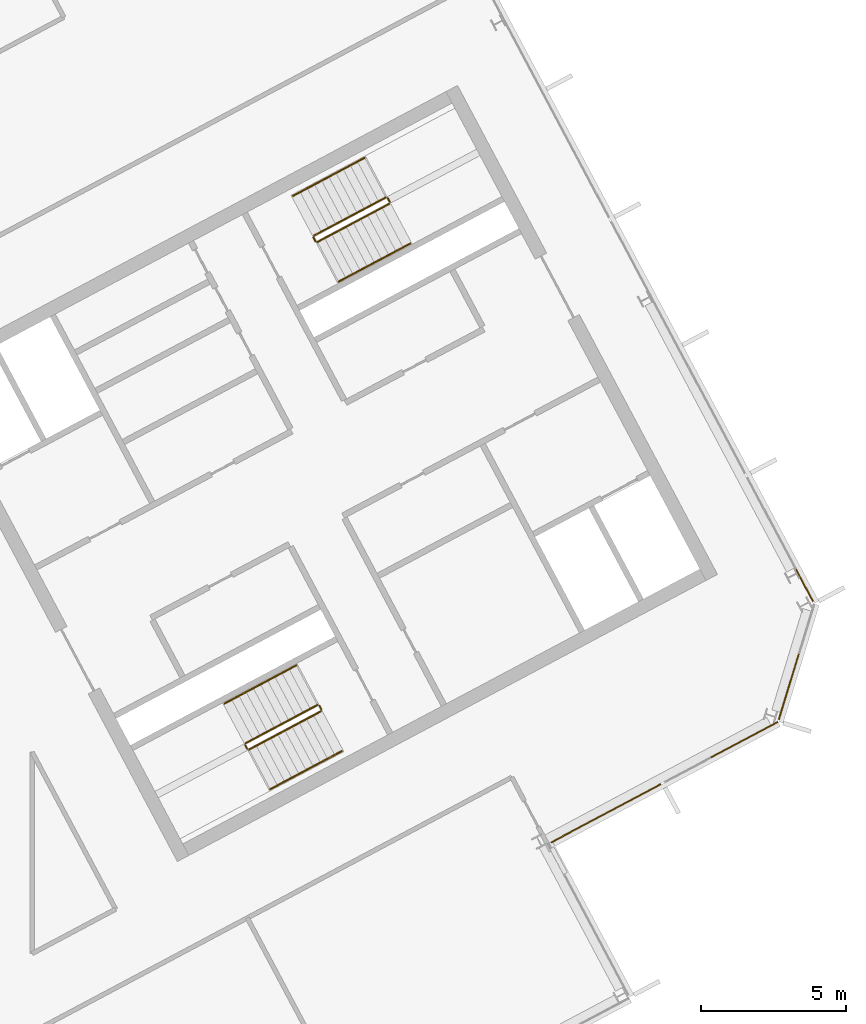
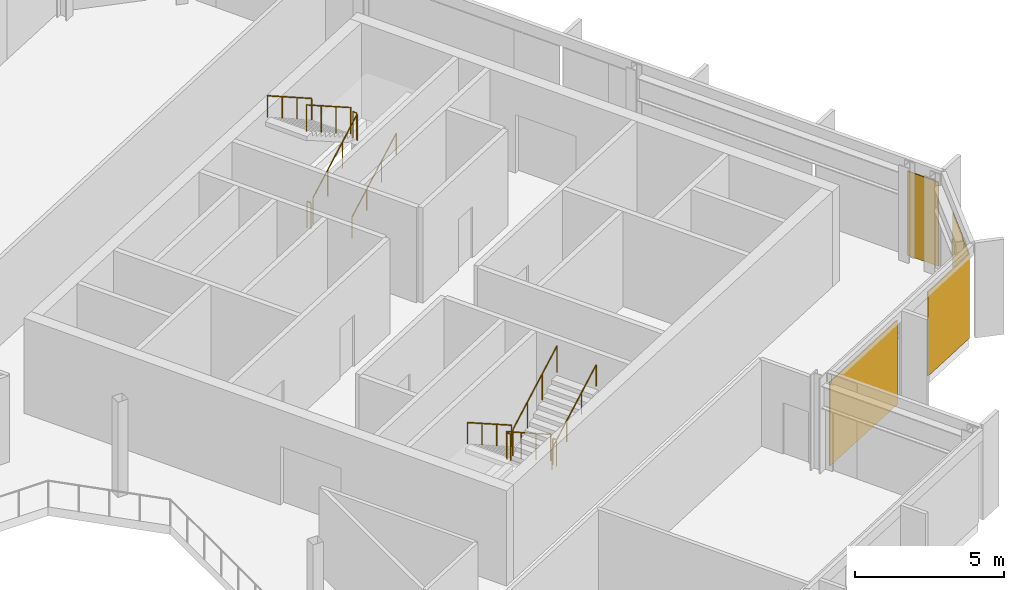
# One storey, part 24 of 25: 12 railings, 4 coverings, 3 elements without a shape of their own.
"""IFC4 building model written with IfcOpenShell, lengths in metres."""

from ifc_helpers import new_model, si_unit, direction, frame, origin, origin_2d, place, context, subcontext, project, spatial, polyline, rectangle, outline, extrude, material, layer, layer_set, type_object, element, aggregate, save


model = new_model("IFC4")

# Units and contexts
model_context = context("Model", 3, precision=1e-05, world=origin(), true_north=direction((0.0, 1.0)))
body_context = subcontext(model_context, "Body", "Model", "MODEL_VIEW")
ifc_project = project(units=[si_unit("LENGTHUNIT", "METRE"), si_unit("AREAUNIT", "SQUARE_METRE"), si_unit("VOLUMEUNIT", "CUBIC_METRE"), si_unit("PLANEANGLEUNIT", "RADIAN"), si_unit("MASSUNIT", "GRAM", prefix="KILO")], contexts=[model_context])

# Site, building, storey
site_placement = place(None, origin())
site = spatial("IfcSite", under=ifc_project, at=site_placement, CompositionType="ELEMENT")
building_placement = place(site_placement, origin())
building = spatial("IfcBuilding", under=site, at=building_placement, Name="Cormorant Relay Tower", CompositionType="ELEMENT")
storey_placement = place(building_placement, frame((0.0, 0.0, 265.800048828125)))
storey = spatial("IfcBuildingStorey", under=building, at=storey_placement, Name="L59", CompositionType="ELEMENT", Elevation=265.800048828125)

# Curtain wall, coverings
ifc_material_1 = material(Name="Aluminium 6063-T6 anodised bronze", Category="aluminium")
ifc_layer_1 = layer(ifc_material_1, 0.199951171875)
ifc_layer_set_1 = layer_set([ifc_layer_1], Name="CW1 unitised bronze curtain wall with vertical fins")
curtain_wall_type = type_object("IfcCurtainWallType", Name="CW1 unitised bronze curtain wall with vertical fins", PredefinedType="NOTDEFINED", material=ifc_layer_set_1)
curtain_wall_1_placement = place(storey_placement, origin())
curtain_wall_1 = element("IfcCurtainWall", 1, at=curtain_wall_1_placement, inside=storey, type_object=curtain_wall_type, Name="CW1 curtain wall 4", PredefinedType="NOTDEFINED")
ifc_material_2 = material(Name="Pale bronze anodised aluminium insulated panel", Category="aluminium")
ifc_layer_2 = layer(ifc_material_2, 0.0400390625)
ifc_layer_set_2 = layer_set([ifc_layer_2], Name="CW1 pale bronze insulated panel 40")
covering_type = type_object("IfcCoveringType", Name="CW1 pale bronze insulated panel 40", PredefinedType="CLADDING", material=ifc_layer_set_2)
covering_1_placement = place(storey_placement, frame((33.793701171875, 0.957275390625, 0.0), z_axis=(0.0, 0.0, 1.0), x_axis=(0.882947592859, 0.469471562786, 0.0)))
covering_1 = element("IfcCovering", 2, at=covering_1_placement, type_object=covering_type, Name="CW1 panel S00", PredefinedType="CLADDING", context=body_context, shape_type="SweptSolid", body=[
    extrude(rectangle(XDim=4.27490234375, YDim=0.0400390625, at=origin_2d()), origin(), (0.0, 0.0, 1.0), 3.449951171875),
])
covering_2_placement = place(storey_placement, frame((38.561767578125, 3.492431640625, 0.0), z_axis=(0.0, 0.0, 1.0), x_axis=(0.882947592859, 0.469471562786, 0.0)))
covering_2 = element("IfcCovering", 3, at=covering_2_placement, type_object=covering_type, Name="CW1 panel S02", PredefinedType="CLADDING", context=body_context, shape_type="SweptSolid", body=[
    extrude(rectangle(XDim=2.625, YDim=0.0400390625, at=origin_2d()), origin(), (0.0, 0.0, 1.0), 3.449951171875),
])
aggregate(curtain_wall_1, [covering_1, covering_2])

# Curtain wall, covering
curtain_wall_2_placement = place(storey_placement, origin())
curtain_wall_2 = element("IfcCurtainWall", 4, at=curtain_wall_2_placement, inside=storey, type_object=curtain_wall_type, Name="CW1 curtain wall 5", PredefinedType="NOTDEFINED")
covering_3_placement = place(storey_placement, frame((40.098388671875, 5.32421875, 0.0), z_axis=(0.0, 0.0, 1.0), x_axis=(0.292371704723, 0.956304755963, 0.0)))
covering_3 = element("IfcCovering", 5, at=covering_3_placement, type_object=covering_type, Name="CW1 panel S00", PredefinedType="CLADDING", context=body_context, shape_type="SweptSolid", body=[
    extrude(rectangle(XDim=2.36767578125, YDim=0.0400390625, at=origin_2d()), origin(), (0.0, 0.0, 1.0), 3.449951171875),
])
aggregate(curtain_wall_2, [covering_3])

curtain_wall_3_placement = place(storey_placement, origin())
curtain_wall_3 = element("IfcCurtainWall", 6, at=curtain_wall_3_placement, inside=storey, type_object=curtain_wall_type, Name="CW1 curtain wall 6", PredefinedType="NOTDEFINED")
covering_4_placement = place(storey_placement, frame((40.640625, 8.810791015625, 0.0), z_axis=(0.0, 0.0, 1.0), x_axis=(-0.469471562786, 0.882947592859, 0.0)))
covering_4 = element("IfcCovering", 7, at=covering_4_placement, type_object=covering_type, Name="CW1 panel S00", PredefinedType="CLADDING", context=body_context, shape_type="SweptSolid", body=[
    extrude(rectangle(XDim=1.25, YDim=0.0400390625, at=origin_2d()), origin(), (0.0, 0.0, 1.0), 3.449951171875),
])
aggregate(curtain_wall_3, [covering_4])

# Railings
ifc_material_3 = material(Name="Steel ASTM A572 Grade 50 (Fy 345 MPa)", Category="steel")
railing_type_1 = type_object("IfcRailingType", Name="Stair guard 1100", PredefinedType="GUARDRAIL", material=ifc_material_3)
railing_1_placement = place(storey_placement, frame((23.83837890625, 4.6904296875, 0.17724609375)))
element("IfcRailing", 8, at=railing_1_placement, inside=storey, type_object=railing_type_1, Name="L59 B1 stair guard 1", PredefinedType="GUARDRAIL", context=body_context, shape_type="SweptSolid", body=[
    extrude(outline(polyline([(0.022216796875, 0.00927734375), (0.00927734375, 0.022216796875), (-0.00927734375, 0.022216796875), (-0.022216796875, 0.00927734375), (-0.022216796875, -0.00927734375), (-0.00927734375, -0.022216796875), (0.00927734375, -0.022216796875), (0.022216796875, -0.00927734375), (0.022216796875, 0.00927734375)])), frame((0.0, 0.0, 1.076171875), z_axis=(-0.746033882577, -0.396627473466, 0.534901947407), x_axis=(0.469429322983, -0.882970050864, 0.0)), (0.0, 0.0, 1.0), 3.31396484375),
    extrude(outline(polyline([(0.019287109375, 0.008056640625), (0.008056640625, 0.019287109375), (-0.008056640625, 0.019287109375), (-0.019287109375, 0.008056640625), (-0.019287109375, -0.008056640625), (-0.008056640625, -0.019287109375), (0.008056640625, -0.019287109375), (0.019287109375, -0.008056640625), (0.019287109375, 0.008056640625)])), origin(), (0.0, 0.0, 1.0), 1.052001953125),
    extrude(outline(polyline([(0.019287109375, 0.008056640625), (0.008056640625, 0.019287109375), (-0.008056640625, 0.019287109375), (-0.019287109375, 0.008056640625), (-0.019287109375, -0.008056640625), (-0.008056640625, -0.019287109375), (0.008056640625, -0.019287109375), (0.019287109375, -0.008056640625), (0.019287109375, 0.008056640625)])), frame((-0.82421875, -0.438232421875, 0.5908203125)), (0.0, 0.0, 1.0), 1.052001953125),
    extrude(outline(polyline([(0.019287109375, 0.008056640625), (0.008056640625, 0.019287109375), (-0.008056640625, 0.019287109375), (-0.019287109375, 0.008056640625), (-0.019287109375, -0.008056640625), (-0.008056640625, -0.019287109375), (0.008056640625, -0.019287109375), (0.019287109375, -0.008056640625), (0.019287109375, 0.008056640625)])), frame((-1.648193359375, -0.876220703125, 1.181884765625)), (0.0, 0.0, 1.0), 1.052001953125),
    extrude(outline(polyline([(0.019287109375, 0.008056640625), (0.008056640625, 0.019287109375), (-0.008056640625, 0.019287109375), (-0.019287109375, 0.008056640625), (-0.019287109375, -0.008056640625), (-0.008056640625, -0.019287109375), (0.008056640625, -0.019287109375), (0.019287109375, -0.008056640625), (0.019287109375, 0.008056640625)])), frame((-2.472412109375, -1.314453125, 1.772705078125)), (0.0, 0.0, 1.0), 1.052001953125),
])
railing_2_placement = place(storey_placement, frame((21.345458984375, 3.308349609375, 1.949951171875)))
element("IfcRailing", 9, at=railing_2_placement, inside=storey, type_object=railing_type_1, Name="L59 B1 stair guard 2", PredefinedType="GUARDRAIL", context=body_context, shape_type="SweptSolid", body=[
    extrude(outline(polyline([(0.022216796875, 0.00927734375), (0.00927734375, 0.022216796875), (-0.00927734375, 0.022216796875), (-0.022216796875, 0.00927734375), (-0.022216796875, -0.00927734375), (-0.00927734375, -0.022216796875), (0.00927734375, -0.022216796875), (0.022216796875, -0.00927734375), (0.022216796875, 0.00927734375)])), frame((0.0, 0.0, 1.076171875), z_axis=(0.46856034887, -0.8834314911, 0.0), x_axis=(0.8834314911, 0.46856034887, 0.0)), (0.0, 0.0, 1.0), 0.150146484375),
    extrude(outline(polyline([(0.019287109375, 0.008056640625), (0.008056640625, 0.019287109375), (-0.008056640625, 0.019287109375), (-0.019287109375, 0.008056640625), (-0.019287109375, -0.008056640625), (-0.008056640625, -0.019287109375), (0.008056640625, -0.019287109375), (0.019287109375, -0.008056640625), (0.019287109375, 0.008056640625)])), origin(), (0.0, 0.0, 1.0), 1.052001953125),
    extrude(outline(polyline([(0.019287109375, 0.008056640625), (0.008056640625, 0.019287109375), (-0.008056640625, 0.019287109375), (-0.019287109375, 0.008056640625), (-0.019287109375, -0.008056640625), (-0.008056640625, -0.019287109375), (0.008056640625, -0.019287109375), (0.019287109375, -0.008056640625), (0.019287109375, 0.008056640625)])), frame((0.0703125, -0.132568359375, 0.0)), (0.0, 0.0, 1.0), 1.052001953125),
])
railing_3_placement = place(storey_placement, frame((21.4833984375, 3.1552734375, 2.127197265625)))
element("IfcRailing", 10, at=railing_3_placement, inside=storey, type_object=railing_type_1, Name="L59 B1 stair guard 3", PredefinedType="GUARDRAIL", context=body_context, shape_type="SweptSolid", body=[
    extrude(outline(polyline([(0.022216796875, 0.00927734375), (0.00927734375, 0.022216796875), (-0.00927734375, 0.022216796875), (-0.022216796875, 0.00927734375), (-0.022216796875, -0.00927734375), (-0.00927734375, -0.022216796875), (0.00927734375, -0.022216796875), (0.022216796875, -0.00927734375), (0.022216796875, 0.00927734375)])), frame((0.0, 0.0, 1.076171875), z_axis=(0.746001213114, 0.396649272309, 0.534931345884), x_axis=(-0.469465464807, 0.882950835185, 0.0)), (0.0, 0.0, 1.0), 3.31396484375),
    extrude(outline(polyline([(0.019287109375, 0.008056640625), (0.008056640625, 0.019287109375), (-0.008056640625, 0.019287109375), (-0.019287109375, 0.008056640625), (-0.019287109375, -0.008056640625), (-0.008056640625, -0.019287109375), (0.008056640625, -0.019287109375), (0.019287109375, -0.008056640625), (0.019287109375, 0.008056640625)])), origin(), (0.0, 0.0, 1.0), 1.052001953125),
    extrude(outline(polyline([(0.019287109375, 0.008056640625), (0.008056640625, 0.019287109375), (-0.008056640625, 0.019287109375), (-0.019287109375, 0.008056640625), (-0.019287109375, -0.008056640625), (-0.008056640625, -0.019287109375), (0.008056640625, -0.019287109375), (0.019287109375, -0.008056640625), (0.019287109375, 0.008056640625)])), frame((0.823974609375, 0.438232421875, 0.5908203125)), (0.0, 0.0, 1.0), 1.052001953125),
    extrude(outline(polyline([(0.019287109375, 0.008056640625), (0.008056640625, 0.019287109375), (-0.008056640625, 0.019287109375), (-0.019287109375, 0.008056640625), (-0.019287109375, -0.008056640625), (-0.008056640625, -0.019287109375), (0.008056640625, -0.019287109375), (0.019287109375, -0.008056640625), (0.019287109375, 0.008056640625)])), frame((1.648193359375, 0.876220703125, 1.181884765625)), (0.0, 0.0, 1.0), 1.052001953125),
    extrude(outline(polyline([(0.019287109375, 0.008056640625), (0.008056640625, 0.019287109375), (-0.008056640625, 0.019287109375), (-0.019287109375, 0.008056640625), (-0.019287109375, -0.008056640625), (-0.008056640625, -0.019287109375), (0.008056640625, -0.019287109375), (0.019287109375, -0.008056640625), (0.019287109375, 0.008056640625)])), frame((2.47216796875, 1.314453125, 1.772705078125)), (0.0, 0.0, 1.0), 1.052001953125),
])
railing_4_placement = place(storey_placement, frame((23.906005859375, 4.669677734375, 0.0)))
element("IfcRailing", 11, at=railing_4_placement, inside=storey, type_object=railing_type_1, Name="L59 B1 stair guard 4", PredefinedType="GUARDRAIL", context=body_context, shape_type="SweptSolid", body=[
    extrude(outline(polyline([(0.022216796875, 0.00927734375), (0.00927734375, 0.022216796875), (-0.00927734375, 0.022216796875), (-0.022216796875, 0.00927734375), (-0.022216796875, -0.00927734375), (-0.00927734375, -0.022216796875), (0.00927734375, -0.022216796875), (0.022216796875, -0.00927734375), (0.022216796875, 0.00927734375)])), frame((0.0, 0.0, 1.076171875), z_axis=(0.469234640946, -0.883073525669, 0.0), x_axis=(0.883073525669, 0.469234640946, 0.0)), (0.0, 0.0, 1.0), 0.14990234375),
    extrude(outline(polyline([(0.019287109375, 0.008056640625), (0.008056640625, 0.019287109375), (-0.008056640625, 0.019287109375), (-0.019287109375, 0.008056640625), (-0.019287109375, -0.008056640625), (-0.008056640625, -0.019287109375), (0.008056640625, -0.019287109375), (0.019287109375, -0.008056640625), (0.019287109375, 0.008056640625)])), origin(), (0.0, 0.0, 1.0), 1.052001953125),
    extrude(outline(polyline([(0.019287109375, 0.008056640625), (0.008056640625, 0.019287109375), (-0.008056640625, 0.019287109375), (-0.019287109375, 0.008056640625), (-0.019287109375, -0.008056640625), (-0.008056640625, -0.019287109375), (0.008056640625, -0.019287109375), (0.019287109375, -0.008056640625), (0.019287109375, 0.008056640625)])), frame((0.0703125, -0.13232421875, 0.0)), (0.0, 0.0, 1.0), 1.052001953125),
])
railing_5_placement = place(storey_placement, frame((23.8408203125, 20.6611328125, 0.17724609375)))
element("IfcRailing", 12, at=railing_5_placement, inside=storey, type_object=railing_type_1, Name="L59 B2 stair guard 1", PredefinedType="GUARDRAIL", context=body_context, shape_type="SweptSolid", body=[
    extrude(outline(polyline([(0.022216796875, 0.00927734375), (0.00927734375, 0.022216796875), (-0.00927734375, 0.022216796875), (-0.022216796875, 0.00927734375), (-0.022216796875, -0.00927734375), (-0.00927734375, -0.022216796875), (0.00927734375, -0.022216796875), (0.022216796875, -0.00927734375), (0.022216796875, 0.00927734375)])), frame((0.0, 0.0, 1.076171875), z_axis=(0.746033882577, 0.396627473466, 0.534901947407), x_axis=(-0.469429322983, 0.882970050864, 0.0)), (0.0, 0.0, 1.0), 3.31396484375),
    extrude(outline(polyline([(0.019287109375, 0.008056640625), (0.008056640625, 0.019287109375), (-0.008056640625, 0.019287109375), (-0.019287109375, 0.008056640625), (-0.019287109375, -0.008056640625), (-0.008056640625, -0.019287109375), (0.008056640625, -0.019287109375), (0.019287109375, -0.008056640625), (0.019287109375, 0.008056640625)])), origin(), (0.0, 0.0, 1.0), 1.052001953125),
    extrude(outline(polyline([(0.019287109375, 0.008056640625), (0.008056640625, 0.019287109375), (-0.008056640625, 0.019287109375), (-0.019287109375, 0.008056640625), (-0.019287109375, -0.008056640625), (-0.008056640625, -0.019287109375), (0.008056640625, -0.019287109375), (0.019287109375, -0.008056640625), (0.019287109375, 0.008056640625)])), frame((0.82421875, 0.438232421875, 0.5908203125)), (0.0, 0.0, 1.0), 1.052001953125),
    extrude(outline(polyline([(0.019287109375, 0.008056640625), (0.008056640625, 0.019287109375), (-0.008056640625, 0.019287109375), (-0.019287109375, 0.008056640625), (-0.019287109375, -0.008056640625), (-0.008056640625, -0.019287109375), (0.008056640625, -0.019287109375), (0.019287109375, -0.008056640625), (0.019287109375, 0.008056640625)])), frame((1.648193359375, 0.876220703125, 1.181884765625)), (0.0, 0.0, 1.0), 1.052001953125),
    extrude(outline(polyline([(0.019287109375, 0.008056640625), (0.008056640625, 0.019287109375), (-0.008056640625, 0.019287109375), (-0.019287109375, 0.008056640625), (-0.019287109375, -0.008056640625), (-0.008056640625, -0.019287109375), (0.008056640625, -0.019287109375), (0.019287109375, -0.008056640625), (0.019287109375, 0.008056640625)])), frame((2.472412109375, 1.314453125, 1.772705078125)), (0.0, 0.0, 1.0), 1.052001953125),
])
railing_6_placement = place(storey_placement, frame((26.333740234375, 22.043212890625, 1.949951171875)))
element("IfcRailing", 13, at=railing_6_placement, inside=storey, type_object=railing_type_1, Name="L59 B2 stair guard 2", PredefinedType="GUARDRAIL", context=body_context, shape_type="SweptSolid", body=[
    extrude(outline(polyline([(0.022216796875, 0.00927734375), (0.00927734375, 0.022216796875), (-0.00927734375, 0.022216796875), (-0.022216796875, 0.00927734375), (-0.022216796875, -0.00927734375), (-0.00927734375, -0.022216796875), (0.00927734375, -0.022216796875), (0.022216796875, -0.00927734375), (0.022216796875, 0.00927734375)])), frame((0.0, 0.0, 1.076171875), z_axis=(-0.469234640946, 0.883073525669, 0.0), x_axis=(-0.883073525669, -0.469234640946, 0.0)), (0.0, 0.0, 1.0), 0.14990234375),
    extrude(outline(polyline([(0.019287109375, 0.008056640625), (0.008056640625, 0.019287109375), (-0.008056640625, 0.019287109375), (-0.019287109375, 0.008056640625), (-0.019287109375, -0.008056640625), (-0.008056640625, -0.019287109375), (0.008056640625, -0.019287109375), (0.019287109375, -0.008056640625), (0.019287109375, 0.008056640625)])), origin(), (0.0, 0.0, 1.0), 1.052001953125),
    extrude(outline(polyline([(0.019287109375, 0.008056640625), (0.008056640625, 0.019287109375), (-0.008056640625, 0.019287109375), (-0.019287109375, 0.008056640625), (-0.019287109375, -0.008056640625), (-0.008056640625, -0.019287109375), (0.008056640625, -0.019287109375), (0.019287109375, -0.008056640625), (0.019287109375, 0.008056640625)])), frame((-0.0703125, 0.13232421875, 0.0)), (0.0, 0.0, 1.0), 1.052001953125),
])
railing_7_placement = place(storey_placement, frame((26.19580078125, 22.1962890625, 2.127197265625)))
element("IfcRailing", 14, at=railing_7_placement, inside=storey, type_object=railing_type_1, Name="L59 B2 stair guard 3", PredefinedType="GUARDRAIL", context=body_context, shape_type="SweptSolid", body=[
    extrude(outline(polyline([(0.022216796875, 0.00927734375), (0.00927734375, 0.022216796875), (-0.00927734375, 0.022216796875), (-0.022216796875, 0.00927734375), (-0.022216796875, -0.00927734375), (-0.00927734375, -0.022216796875), (0.00927734375, -0.022216796875), (0.022216796875, -0.00927734375), (0.022216796875, 0.00927734375)])), frame((0.0, 0.0, 1.076171875), z_axis=(-0.746033882577, -0.396627473466, 0.534901947407), x_axis=(0.469429322983, -0.882970050864, 0.0)), (0.0, 0.0, 1.0), 3.31396484375),
    extrude(outline(polyline([(0.019287109375, 0.008056640625), (0.008056640625, 0.019287109375), (-0.008056640625, 0.019287109375), (-0.019287109375, 0.008056640625), (-0.019287109375, -0.008056640625), (-0.008056640625, -0.019287109375), (0.008056640625, -0.019287109375), (0.019287109375, -0.008056640625), (0.019287109375, 0.008056640625)])), origin(), (0.0, 0.0, 1.0), 1.052001953125),
    extrude(outline(polyline([(0.019287109375, 0.008056640625), (0.008056640625, 0.019287109375), (-0.008056640625, 0.019287109375), (-0.019287109375, 0.008056640625), (-0.019287109375, -0.008056640625), (-0.008056640625, -0.019287109375), (0.008056640625, -0.019287109375), (0.019287109375, -0.008056640625), (0.019287109375, 0.008056640625)])), frame((-0.82421875, -0.438232421875, 0.5908203125)), (0.0, 0.0, 1.0), 1.052001953125),
    extrude(outline(polyline([(0.019287109375, 0.008056640625), (0.008056640625, 0.019287109375), (-0.008056640625, 0.019287109375), (-0.019287109375, 0.008056640625), (-0.019287109375, -0.008056640625), (-0.008056640625, -0.019287109375), (0.008056640625, -0.019287109375), (0.019287109375, -0.008056640625), (0.019287109375, 0.008056640625)])), frame((-1.648193359375, -0.876220703125, 1.181884765625)), (0.0, 0.0, 1.0), 1.052001953125),
    extrude(outline(polyline([(0.019287109375, 0.008056640625), (0.008056640625, 0.019287109375), (-0.008056640625, 0.019287109375), (-0.019287109375, 0.008056640625), (-0.019287109375, -0.008056640625), (-0.008056640625, -0.019287109375), (0.008056640625, -0.019287109375), (0.019287109375, -0.008056640625), (0.019287109375, 0.008056640625)])), frame((-2.472412109375, -1.314453125, 1.772705078125)), (0.0, 0.0, 1.0), 1.052001953125),
])
railing_8_placement = place(storey_placement, frame((23.773193359375, 20.681640625, 0.0)))
element("IfcRailing", 15, at=railing_8_placement, inside=storey, type_object=railing_type_1, Name="L59 B2 stair guard 4", PredefinedType="GUARDRAIL", context=body_context, shape_type="SweptSolid", body=[
    extrude(outline(polyline([(0.022216796875, 0.00927734375), (0.00927734375, 0.022216796875), (-0.00927734375, 0.022216796875), (-0.022216796875, 0.00927734375), (-0.022216796875, -0.00927734375), (-0.00927734375, -0.022216796875), (0.00927734375, -0.022216796875), (0.022216796875, -0.00927734375), (0.022216796875, 0.00927734375)])), frame((0.0, 0.0, 1.076171875), z_axis=(-0.46856034887, 0.8834314911, 0.0), x_axis=(-0.8834314911, -0.46856034887, 0.0)), (0.0, 0.0, 1.0), 0.150146484375),
    extrude(outline(polyline([(0.019287109375, 0.008056640625), (0.008056640625, 0.019287109375), (-0.008056640625, 0.019287109375), (-0.019287109375, 0.008056640625), (-0.019287109375, -0.008056640625), (-0.008056640625, -0.019287109375), (0.008056640625, -0.019287109375), (0.019287109375, -0.008056640625), (0.019287109375, 0.008056640625)])), origin(), (0.0, 0.0, 1.0), 1.052001953125),
    extrude(outline(polyline([(0.019287109375, 0.008056640625), (0.008056640625, 0.019287109375), (-0.008056640625, 0.019287109375), (-0.019287109375, 0.008056640625), (-0.019287109375, -0.008056640625), (-0.008056640625, -0.019287109375), (0.008056640625, -0.019287109375), (0.019287109375, -0.008056640625), (0.019287109375, 0.008056640625)])), frame((-0.0703125, 0.132568359375, 0.0)), (0.0, 0.0, 1.0), 1.052001953125),
])
ifc_material_4 = material(Name="Steel ASTM A572 Grade 50 (Fy 345 MPa)", Category="steel")
railing_type_2 = type_object("IfcRailingType", Name="Stair handrail 900", PredefinedType="HANDRAIL", material=ifc_material_4)
railing_9_placement = place(storey_placement, frame((23.110595703125, 6.05908203125, 0.17724609375)))
element("IfcRailing", 16, at=railing_9_placement, inside=storey, type_object=railing_type_2, Name="L59 B1 stair handrail 1", PredefinedType="HANDRAIL", context=body_context, shape_type="SweptSolid", body=[
    extrude(outline(polyline([(0.022216796875, 0.00927734375), (0.00927734375, 0.022216796875), (-0.00927734375, 0.022216796875), (-0.022216796875, 0.00927734375), (-0.022216796875, -0.00927734375), (-0.00927734375, -0.022216796875), (0.00927734375, -0.022216796875), (0.022216796875, -0.00927734375), (0.022216796875, 0.00927734375)])), frame((0.0, 0.0, 0.8759765625), z_axis=(-0.745979412481, -0.396711350603, 0.534915713414), x_axis=(0.469533439143, -0.882914689835, 0.0)), (0.0, 0.0, 1.0), 3.31396484375),
    extrude(outline(polyline([(0.019287109375, 0.008056640625), (0.008056640625, 0.019287109375), (-0.008056640625, 0.019287109375), (-0.019287109375, 0.008056640625), (-0.019287109375, -0.008056640625), (-0.008056640625, -0.019287109375), (0.008056640625, -0.019287109375), (0.019287109375, -0.008056640625), (0.019287109375, 0.008056640625)])), origin(), (0.0, 0.0, 1.0), 0.851806640625),
    extrude(outline(polyline([(0.019287109375, 0.008056640625), (0.008056640625, 0.019287109375), (-0.008056640625, 0.019287109375), (-0.019287109375, 0.008056640625), (-0.019287109375, -0.008056640625), (-0.008056640625, -0.019287109375), (0.008056640625, -0.019287109375), (0.019287109375, -0.008056640625), (0.019287109375, 0.008056640625)])), frame((-0.823974609375, -0.438232421875, 0.5908203125)), (0.0, 0.0, 1.0), 0.851806640625),
    extrude(outline(polyline([(0.019287109375, 0.008056640625), (0.008056640625, 0.019287109375), (-0.008056640625, 0.019287109375), (-0.019287109375, 0.008056640625), (-0.019287109375, -0.008056640625), (-0.008056640625, -0.019287109375), (0.008056640625, -0.019287109375), (0.019287109375, -0.008056640625), (0.019287109375, 0.008056640625)])), frame((-1.648193359375, -0.87646484375, 1.181884765625)), (0.0, 0.0, 1.0), 0.851806640625),
    extrude(outline(polyline([(0.019287109375, 0.008056640625), (0.008056640625, 0.019287109375), (-0.008056640625, 0.019287109375), (-0.019287109375, 0.008056640625), (-0.019287109375, -0.008056640625), (-0.008056640625, -0.019287109375), (0.008056640625, -0.019287109375), (0.019287109375, -0.008056640625), (0.019287109375, 0.008056640625)])), frame((-2.47216796875, -1.314697265625, 1.772705078125)), (0.0, 0.0, 1.0), 0.851806640625),
])
railing_10_placement = place(storey_placement, frame((22.211181640625, 1.78662109375, 2.127197265625)))
element("IfcRailing", 17, at=railing_10_placement, inside=storey, type_object=railing_type_2, Name="L59 B1 stair handrail 2", PredefinedType="HANDRAIL", context=body_context, shape_type="SweptSolid", body=[
    extrude(outline(polyline([(0.022216796875, 0.00927734375), (0.00927734375, 0.022216796875), (-0.00927734375, 0.022216796875), (-0.022216796875, 0.00927734375), (-0.022216796875, -0.00927734375), (-0.00927734375, -0.022216796875), (0.00927734375, -0.022216796875), (0.022216796875, -0.00927734375), (0.022216796875, 0.00927734375)])), frame((0.0, 0.0, 0.8759765625), z_axis=(0.746001213114, 0.396649272309, 0.534931345884), x_axis=(-0.469465464807, 0.882950835185, 0.0)), (0.0, 0.0, 1.0), 3.31396484375),
    extrude(outline(polyline([(0.019287109375, 0.008056640625), (0.008056640625, 0.019287109375), (-0.008056640625, 0.019287109375), (-0.019287109375, 0.008056640625), (-0.019287109375, -0.008056640625), (-0.008056640625, -0.019287109375), (0.008056640625, -0.019287109375), (0.019287109375, -0.008056640625), (0.019287109375, 0.008056640625)])), origin(), (0.0, 0.0, 1.0), 0.851806640625),
    extrude(outline(polyline([(0.019287109375, 0.008056640625), (0.008056640625, 0.019287109375), (-0.008056640625, 0.019287109375), (-0.019287109375, 0.008056640625), (-0.019287109375, -0.008056640625), (-0.008056640625, -0.019287109375), (0.008056640625, -0.019287109375), (0.019287109375, -0.008056640625), (0.019287109375, 0.008056640625)])), frame((0.823974609375, 0.438232421875, 0.5908203125)), (0.0, 0.0, 1.0), 0.851806640625),
    extrude(outline(polyline([(0.019287109375, 0.008056640625), (0.008056640625, 0.019287109375), (-0.008056640625, 0.019287109375), (-0.019287109375, 0.008056640625), (-0.019287109375, -0.008056640625), (-0.008056640625, -0.019287109375), (0.008056640625, -0.019287109375), (0.019287109375, -0.008056640625), (0.019287109375, 0.008056640625)])), frame((1.648193359375, 0.876220703125, 1.181884765625)), (0.0, 0.0, 1.0), 0.851806640625),
    extrude(outline(polyline([(0.019287109375, 0.008056640625), (0.008056640625, 0.019287109375), (-0.008056640625, 0.019287109375), (-0.019287109375, 0.008056640625), (-0.019287109375, -0.008056640625), (-0.008056640625, -0.019287109375), (0.008056640625, -0.019287109375), (0.019287109375, -0.008056640625), (0.019287109375, 0.008056640625)])), frame((2.47216796875, 1.314453125, 1.772705078125)), (0.0, 0.0, 1.0), 0.851806640625),
])
railing_11_placement = place(storey_placement, frame((24.568603515625, 19.29248046875, 0.17724609375)))
element("IfcRailing", 18, at=railing_11_placement, inside=storey, type_object=railing_type_2, Name="L59 B2 stair handrail 1", PredefinedType="HANDRAIL", context=body_context, shape_type="SweptSolid", body=[
    extrude(outline(polyline([(0.022216796875, 0.00927734375), (0.00927734375, 0.022216796875), (-0.00927734375, 0.022216796875), (-0.022216796875, 0.00927734375), (-0.022216796875, -0.00927734375), (-0.00927734375, -0.022216796875), (0.00927734375, -0.022216796875), (0.022216796875, -0.00927734375), (0.022216796875, 0.00927734375)])), frame((0.0, 0.0, 0.8759765625), z_axis=(0.746001213114, 0.396649272309, 0.534931345884), x_axis=(-0.469465464807, 0.882950835185, 0.0)), (0.0, 0.0, 1.0), 3.31396484375),
    extrude(outline(polyline([(0.019287109375, 0.008056640625), (0.008056640625, 0.019287109375), (-0.008056640625, 0.019287109375), (-0.019287109375, 0.008056640625), (-0.019287109375, -0.008056640625), (-0.008056640625, -0.019287109375), (0.008056640625, -0.019287109375), (0.019287109375, -0.008056640625), (0.019287109375, 0.008056640625)])), origin(), (0.0, 0.0, 1.0), 0.851806640625),
    extrude(outline(polyline([(0.019287109375, 0.008056640625), (0.008056640625, 0.019287109375), (-0.008056640625, 0.019287109375), (-0.019287109375, 0.008056640625), (-0.019287109375, -0.008056640625), (-0.008056640625, -0.019287109375), (0.008056640625, -0.019287109375), (0.019287109375, -0.008056640625), (0.019287109375, 0.008056640625)])), frame((0.823974609375, 0.438232421875, 0.5908203125)), (0.0, 0.0, 1.0), 0.851806640625),
    extrude(outline(polyline([(0.019287109375, 0.008056640625), (0.008056640625, 0.019287109375), (-0.008056640625, 0.019287109375), (-0.019287109375, 0.008056640625), (-0.019287109375, -0.008056640625), (-0.008056640625, -0.019287109375), (0.008056640625, -0.019287109375), (0.019287109375, -0.008056640625), (0.019287109375, 0.008056640625)])), frame((1.648193359375, 0.876220703125, 1.181884765625)), (0.0, 0.0, 1.0), 0.851806640625),
    extrude(outline(polyline([(0.019287109375, 0.008056640625), (0.008056640625, 0.019287109375), (-0.008056640625, 0.019287109375), (-0.019287109375, 0.008056640625), (-0.019287109375, -0.008056640625), (-0.008056640625, -0.019287109375), (0.008056640625, -0.019287109375), (0.019287109375, -0.008056640625), (0.019287109375, 0.008056640625)])), frame((2.47216796875, 1.314453125, 1.772705078125)), (0.0, 0.0, 1.0), 0.851806640625),
])
railing_12_placement = place(storey_placement, frame((25.468017578125, 23.56494140625, 2.127197265625)))
element("IfcRailing", 19, at=railing_12_placement, inside=storey, type_object=railing_type_2, Name="L59 B2 stair handrail 2", PredefinedType="HANDRAIL", context=body_context, shape_type="SweptSolid", body=[
    extrude(outline(polyline([(0.022216796875, 0.00927734375), (0.00927734375, 0.022216796875), (-0.00927734375, 0.022216796875), (-0.022216796875, 0.00927734375), (-0.022216796875, -0.00927734375), (-0.00927734375, -0.022216796875), (0.00927734375, -0.022216796875), (0.022216796875, -0.00927734375), (0.022216796875, 0.00927734375)])), frame((0.0, 0.0, 0.8759765625), z_axis=(-0.745979412481, -0.396711350603, 0.534915713414), x_axis=(0.469533439143, -0.882914689835, 0.0)), (0.0, 0.0, 1.0), 3.31396484375),
    extrude(outline(polyline([(0.019287109375, 0.008056640625), (0.008056640625, 0.019287109375), (-0.008056640625, 0.019287109375), (-0.019287109375, 0.008056640625), (-0.019287109375, -0.008056640625), (-0.008056640625, -0.019287109375), (0.008056640625, -0.019287109375), (0.019287109375, -0.008056640625), (0.019287109375, 0.008056640625)])), origin(), (0.0, 0.0, 1.0), 0.851806640625),
    extrude(outline(polyline([(0.019287109375, 0.008056640625), (0.008056640625, 0.019287109375), (-0.008056640625, 0.019287109375), (-0.019287109375, 0.008056640625), (-0.019287109375, -0.008056640625), (-0.008056640625, -0.019287109375), (0.008056640625, -0.019287109375), (0.019287109375, -0.008056640625), (0.019287109375, 0.008056640625)])), frame((-0.823974609375, -0.438232421875, 0.5908203125)), (0.0, 0.0, 1.0), 0.851806640625),
    extrude(outline(polyline([(0.019287109375, 0.008056640625), (0.008056640625, 0.019287109375), (-0.008056640625, 0.019287109375), (-0.019287109375, 0.008056640625), (-0.019287109375, -0.008056640625), (-0.008056640625, -0.019287109375), (0.008056640625, -0.019287109375), (0.019287109375, -0.008056640625), (0.019287109375, 0.008056640625)])), frame((-1.648193359375, -0.87646484375, 1.181884765625)), (0.0, 0.0, 1.0), 0.851806640625),
    extrude(outline(polyline([(0.019287109375, 0.008056640625), (0.008056640625, 0.019287109375), (-0.008056640625, 0.019287109375), (-0.019287109375, 0.008056640625), (-0.019287109375, -0.008056640625), (-0.008056640625, -0.019287109375), (0.008056640625, -0.019287109375), (0.019287109375, -0.008056640625), (0.019287109375, 0.008056640625)])), frame((-2.47216796875, -1.314697265625, 1.772705078125)), (0.0, 0.0, 1.0), 0.851806640625),
])

save(model, "model.ifc")
